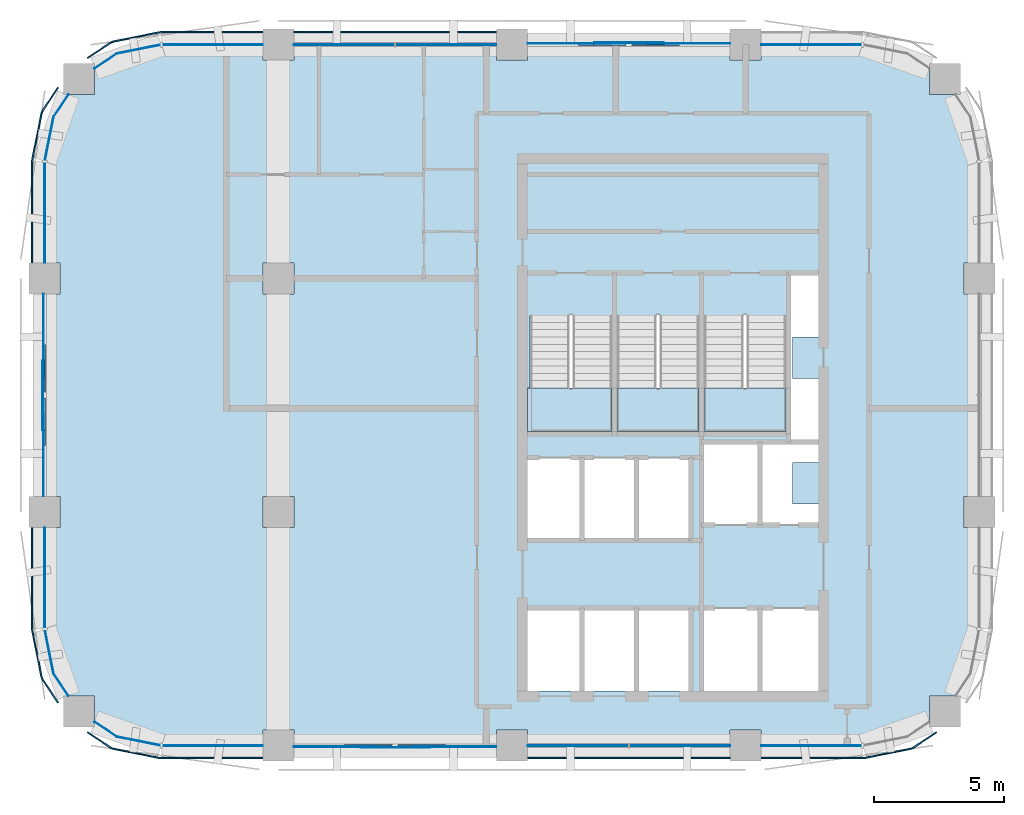
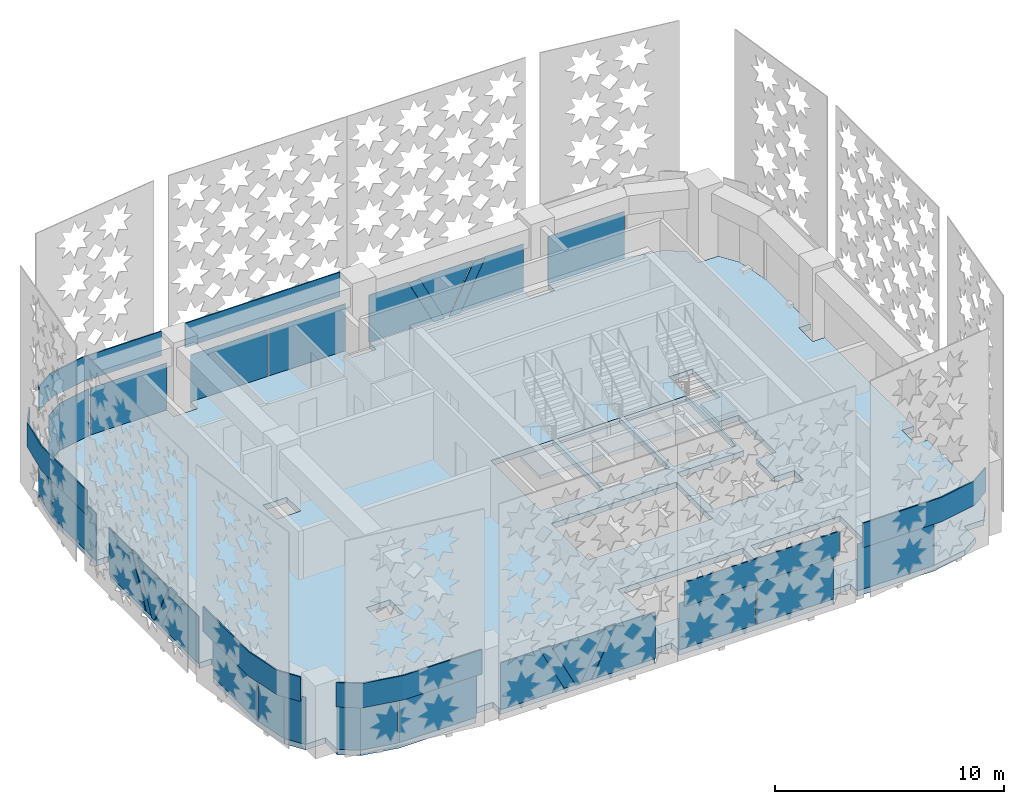
# One storey, part 6 of 15: 36 plates, 4 slabs, 14 elements without a shape of their own.
"""IFC4 building model written with IfcOpenShell, lengths in metres."""

from ifc_helpers import new_model, si_unit, direction, frame, origin, origin_2d, place, context, subcontext, project, spatial, polyline, rectangle, outline, extrude, material, layer, layer_set, type_object, element, aggregate, save


model = new_model("IFC4")

# Units and contexts
model_context = context("Model", 3, precision=1e-05, world=origin(), true_north=direction((0.0, 1.0)))
body_context = subcontext(model_context, "Body", "Model", "MODEL_VIEW")
ifc_project = project(units=[si_unit("LENGTHUNIT", "METRE"), si_unit("AREAUNIT", "SQUARE_METRE"), si_unit("VOLUMEUNIT", "CUBIC_METRE"), si_unit("PLANEANGLEUNIT", "RADIAN"), si_unit("MASSUNIT", "GRAM", prefix="KILO")], contexts=[model_context])

# Site, building, storey
site_placement = place(None, origin())
site = spatial("IfcSite", under=ifc_project, at=site_placement, CompositionType="ELEMENT")
building_placement = place(site_placement, origin())
building = spatial("IfcBuilding", under=site, at=building_placement, Name="Tessera Arch", CompositionType="ELEMENT")
storey_placement = place(building_placement, frame((0.0, 0.0, 257.89990234375)))
storey = spatial("IfcBuildingStorey", under=building, at=storey_placement, Name="L62", CompositionType="ELEMENT", Elevation=257.89990234375)

# Curtain wall, plates
ifc_material_1 = material(Name="CW1 curtain wall")
curtain_wall_type_1 = type_object("IfcCurtainWallType", Name="CW1 curtain wall", PredefinedType="NOTDEFINED", material=ifc_material_1)
curtain_wall_1_placement = place(storey_placement, origin())
curtain_wall_1 = element("IfcCurtainWall", 1, at=curtain_wall_1_placement, inside=storey, type_object=curtain_wall_type_1, Name="CW1 curtain wall N54.18/2 L62", PredefinedType="NOTDEFINED")
ifc_material_2 = material(Name="Clear low-e glass", Category="glass")
ifc_material_3 = material(Name="Clear low-e glass", Category="glass")
ifc_layer_1 = layer(ifc_material_3, 0.028076171875)
ifc_layer_set_1 = layer_set([ifc_layer_1], Name="CW1 glass panel")
plate_type_1 = type_object("IfcPlateType", Name="CW1 glass panel", PredefinedType="CURTAIN_PANEL", material=ifc_layer_set_1)
plate_1_placement = place(storey_placement, frame((33.465087890625, 54.0, 0.0), z_axis=(0.0, 0.0, 1.0), x_axis=(-1.0, 0.0, 0.0)))
plate_1 = element("IfcPlate", 2, at=plate_1_placement, type_object=plate_type_1, material=ifc_material_2, Name="CW1 glass panel N54.18/2 1.1.1", PredefinedType="CURTAIN_PANEL", context=body_context, shape_type="SweptSolid", body=[
    extrude(rectangle(XDim=3.8701171875, YDim=0.028076171875, at=origin_2d()), origin(), (0.0, 0.0, 1.0), 2.5),
])
plate_2_placement = place(storey_placement, frame((29.534912109375, 54.0, 0.0), z_axis=(0.0, 0.0, 1.0), x_axis=(-1.0, 0.0, 0.0)))
plate_2 = element("IfcPlate", 3, at=plate_2_placement, type_object=plate_type_1, material=ifc_material_2, Name="CW1 glass panel N54.18/2 1.2.1", PredefinedType="CURTAIN_PANEL", context=body_context, shape_type="SweptSolid", body=[
    extrude(rectangle(XDim=3.8701171875, YDim=0.028076171875, at=origin_2d()), origin(), (0.0, 0.0, 1.0), 2.5),
])

curtain_wall_2_placement = place(storey_placement, origin())
curtain_wall_2 = element("IfcCurtainWall", 4, at=curtain_wall_2_placement, inside=storey, type_object=curtain_wall_type_1, Name="CW1 curtain wall S27.18/2 L62", PredefinedType="NOTDEFINED")
plate_3_placement = place(storey_placement, frame((38.534912109375, 27.0, 0.0), z_axis=(0.0, 0.0, 1.0), x_axis=(1.0, 0.0, 0.0)))
plate_3 = element("IfcPlate", 5, at=plate_3_placement, type_object=plate_type_1, material=ifc_material_2, Name="CW1 glass panel S27.18/2 1.1.1", PredefinedType="CURTAIN_PANEL", context=body_context, shape_type="SweptSolid", body=[
    extrude(rectangle(XDim=3.8701171875, YDim=0.028076171875, at=origin_2d()), origin(), (0.0, 0.0, 1.0), 2.5),
])
plate_4_placement = place(storey_placement, frame((42.465087890625, 27.0, 0.0), z_axis=(0.0, 0.0, 1.0), x_axis=(1.0, 0.0, 0.0)))
plate_4 = element("IfcPlate", 6, at=plate_4_placement, type_object=plate_type_1, material=ifc_material_2, Name="CW1 glass panel S27.18/2 1.2.1", PredefinedType="CURTAIN_PANEL", context=body_context, shape_type="SweptSolid", body=[
    extrude(rectangle(XDim=3.8701171875, YDim=0.028076171875, at=origin_2d()), origin(), (0.0, 0.0, 1.0), 2.5),
])

# Plate
ifc_material_4 = material(Name="Pale anodised aluminium panel", Category="aluminium")
ifc_layer_2 = layer(ifc_material_4, 0.06005859375)
ifc_layer_set_2 = layer_set([ifc_layer_2], Name="CW1 spandrel panel")
plate_type_2 = type_object("IfcPlateType", Name="CW1 spandrel panel", PredefinedType="CURTAIN_PANEL", material=ifc_layer_set_2)
plate_5_placement = place(storey_placement, frame((31.5, 54.47998046875, 2.60009765625), z_axis=(0.0, 0.0, 1.0), x_axis=(-1.0, 0.0, 0.0)))
plate_5 = element("IfcPlate", 7, at=plate_5_placement, type_object=plate_type_2, Name="CW1 spandrel panel N54.18/2", PredefinedType="CURTAIN_PANEL", context=body_context, shape_type="SweptSolid", body=[
    extrude(rectangle(XDim=7.800048828125, YDim=0.06005859375, at=origin_2d()), origin(), (0.0, 0.0, 1.0), 1.300048828125),
])

aggregate(curtain_wall_1, [plate_1, plate_2, plate_5])

plate_6_placement = place(storey_placement, frame((40.5, 26.52001953125, 2.60009765625), z_axis=(0.0, 0.0, 1.0), x_axis=(1.0, 0.0, 0.0)))
plate_6 = element("IfcPlate", 8, at=plate_6_placement, type_object=plate_type_2, Name="CW1 spandrel panel S27.18/2", PredefinedType="CURTAIN_PANEL", context=body_context, shape_type="SweptSolid", body=[
    extrude(rectangle(XDim=7.800048828125, YDim=0.06005859375, at=origin_2d()), origin(), (0.0, 0.0, 1.0), 1.300048828125),
])

aggregate(curtain_wall_2, [plate_3, plate_4, plate_6])

# Curtain wall, plate
ifc_material_5 = material(Name="CW2 curtain wall")
curtain_wall_type_2 = type_object("IfcCurtainWallType", Name="CW2 curtain wall", PredefinedType="NOTDEFINED", material=ifc_material_5)
curtain_wall_3_placement = place(storey_placement, origin())
curtain_wall_3 = element("IfcCurtainWall", 9, at=curtain_wall_3_placement, inside=storey, type_object=curtain_wall_type_2, Name="CW2 curtain wall N54.18/0 L62", PredefinedType="NOTDEFINED")
ifc_material_6 = material(Name="Clear low-e glass", Category="glass")
ifc_layer_3 = layer(ifc_material_6, 0.028076171875)
ifc_layer_set_3 = layer_set([ifc_layer_3], Name="CW2 glass panel")
plate_type_3 = type_object("IfcPlateType", Name="CW2 glass panel", PredefinedType="CURTAIN_PANEL", material=ifc_layer_set_3)
plate_7_placement = place(storey_placement, frame((47.530029296875, 54.0, 0.0), z_axis=(0.0, 0.0, 1.0), x_axis=(-1.0, 0.0, 0.0)))
plate_7 = element("IfcPlate", 10, at=plate_7_placement, type_object=plate_type_3, material=ifc_material_2, Name="CW2 glass panel N54.18/0 1.1", PredefinedType="CURTAIN_PANEL", context=body_context, shape_type="SweptSolid", body=[
    extrude(rectangle(XDim=3.860107421875, YDim=0.028076171875, at=origin_2d()), origin(), (0.0, 0.0, 1.0), 2.5),
])
aggregate(curtain_wall_3, [plate_7])

# Curtain wall, plates
curtain_wall_4_placement = place(storey_placement, origin())
curtain_wall_4 = element("IfcCurtainWall", 11, at=curtain_wall_4_placement, inside=storey, type_object=curtain_wall_type_2, Name="CW2 curtain wall N54.18/3 L62", PredefinedType="NOTDEFINED")
plate_8_placement = place(storey_placement, frame((24.469970703125, 54.0, 0.0), z_axis=(0.0, 0.0, 1.0), x_axis=(-1.0, 0.0, 0.0)))
plate_8 = element("IfcPlate", 12, at=plate_8_placement, type_object=plate_type_3, material=ifc_material_2, Name="CW2 glass panel N54.18/3 1.1", PredefinedType="CURTAIN_PANEL", context=body_context, shape_type="SweptSolid", body=[
    extrude(rectangle(XDim=3.860107421875, YDim=0.028076171875, at=origin_2d()), origin(), (0.0, 0.0, 1.0), 2.5),
])
plate_9_placement = place(storey_placement, origin())
plate_9 = element("IfcPlate", 13, at=plate_9_placement, type_object=plate_type_3, material=ifc_material_2, Name="CW2 curved glass panel N54.18/3 2.1", PredefinedType="CURTAIN_PANEL", context=body_context, shape_type="SweptSolid", body=[
    extrude(outline(polyline([(20.783447265625, 53.644287109375), (22.46337890625, 53.978515625), (22.4580078125, 54.005859375), (20.7724609375, 53.670654296875), (19.91015625, 53.094482421875), (19.92578125, 53.0712890625), (20.783447265625, 53.644287109375)])), origin(), (0.0, 0.0, 1.0), 2.5),
])

curtain_wall_5_placement = place(storey_placement, origin())
curtain_wall_5 = element("IfcCurtainWall", 14, at=curtain_wall_5_placement, inside=storey, type_object=curtain_wall_type_2, Name="CW2 curtain wall W18.27/0 L62", PredefinedType="NOTDEFINED")
plate_10_placement = place(storey_placement, frame((18.0, 47.530029296875, 0.0), z_axis=(0.0, 0.0, 1.0), x_axis=(0.0, -1.0, 0.0)))
plate_10 = element("IfcPlate", 15, at=plate_10_placement, type_object=plate_type_3, material=ifc_material_2, Name="CW2 glass panel W18.27/0 1.1", PredefinedType="CURTAIN_PANEL", context=body_context, shape_type="SweptSolid", body=[
    extrude(rectangle(XDim=3.860107421875, YDim=0.028076171875, at=origin_2d()), origin(), (0.0, 0.0, 1.0), 2.5),
])
plate_11_placement = place(storey_placement, origin())
plate_11 = element("IfcPlate", 16, at=plate_11_placement, type_object=plate_type_3, material=ifc_material_2, Name="CW2 curved glass panel W18.27/0 2.1", PredefinedType="CURTAIN_PANEL", context=body_context, shape_type="SweptSolid", body=[
    extrude(outline(polyline([(18.355712890625, 51.216552734375), (18.9287109375, 52.07421875), (18.905517578125, 52.08984375), (18.329345703125, 51.2275390625), (17.994140625, 49.5419921875), (18.021484375, 49.53662109375), (18.355712890625, 51.216552734375)])), origin(), (0.0, 0.0, 1.0), 2.5),
])

curtain_wall_6_placement = place(storey_placement, origin())
curtain_wall_6 = element("IfcCurtainWall", 17, at=curtain_wall_6_placement, inside=storey, type_object=curtain_wall_type_2, Name="CW2 curtain wall W18.27/2 L62", PredefinedType="NOTDEFINED")
plate_12_placement = place(storey_placement, frame((18.0, 33.469970703125, 0.0), z_axis=(0.0, 0.0, 1.0), x_axis=(0.0, -1.0, 0.0)))
plate_12 = element("IfcPlate", 18, at=plate_12_placement, type_object=plate_type_3, material=ifc_material_2, Name="CW2 glass panel W18.27/2 1.1", PredefinedType="CURTAIN_PANEL", context=body_context, shape_type="SweptSolid", body=[
    extrude(rectangle(XDim=3.860107421875, YDim=0.028076171875, at=origin_2d()), origin(), (0.0, 0.0, 1.0), 2.5),
])
plate_13_placement = place(storey_placement, origin())
plate_13 = element("IfcPlate", 19, at=plate_13_placement, type_object=plate_type_3, material=ifc_material_2, Name="CW2 curved glass panel W18.27/2 2.1", PredefinedType="CURTAIN_PANEL", context=body_context, shape_type="SweptSolid", body=[
    extrude(outline(polyline([(18.355712890625, 29.783447265625), (18.021484375, 31.46337890625), (17.994140625, 31.4580078125), (18.329345703125, 29.7724609375), (18.905517578125, 28.91015625), (18.9287109375, 28.92578125), (18.355712890625, 29.783447265625)])), origin(), (0.0, 0.0, 1.0), 2.5),
])

curtain_wall_7_placement = place(storey_placement, origin())
curtain_wall_7 = element("IfcCurtainWall", 20, at=curtain_wall_7_placement, inside=storey, type_object=curtain_wall_type_2, Name="CW2 curtain wall S27.18/0 L62", PredefinedType="NOTDEFINED")
plate_14_placement = place(storey_placement, frame((24.469970703125, 27.0, 0.0), z_axis=(0.0, 0.0, 1.0), x_axis=(1.0, 0.0, 0.0)))
plate_14 = element("IfcPlate", 21, at=plate_14_placement, type_object=plate_type_3, material=ifc_material_2, Name="CW2 glass panel S27.18/0 1.1", PredefinedType="CURTAIN_PANEL", context=body_context, shape_type="SweptSolid", body=[
    extrude(rectangle(XDim=3.860107421875, YDim=0.028076171875, at=origin_2d()), origin(), (0.0, 0.0, 1.0), 2.5),
])
plate_15_placement = place(storey_placement, origin())
plate_15 = element("IfcPlate", 22, at=plate_15_placement, type_object=plate_type_3, material=ifc_material_2, Name="CW2 curved glass panel S27.18/0 2.1", PredefinedType="CURTAIN_PANEL", context=body_context, shape_type="SweptSolid", body=[
    extrude(outline(polyline([(20.783447265625, 27.355712890625), (19.92578125, 27.9287109375), (19.91015625, 27.905517578125), (20.7724609375, 27.329345703125), (22.4580078125, 26.994140625), (22.46337890625, 27.021484375), (20.783447265625, 27.355712890625)])), origin(), (0.0, 0.0, 1.0), 2.5),
])

# Curtain wall, plate
curtain_wall_8_placement = place(storey_placement, origin())
curtain_wall_8 = element("IfcCurtainWall", 23, at=curtain_wall_8_placement, inside=storey, type_object=curtain_wall_type_2, Name="CW2 curtain wall S27.18/3 L62", PredefinedType="NOTDEFINED")
plate_16_placement = place(storey_placement, frame((47.530029296875, 27.0, 0.0), z_axis=(0.0, 0.0, 1.0), x_axis=(1.0, 0.0, 0.0)))
plate_16 = element("IfcPlate", 24, at=plate_16_placement, type_object=plate_type_3, material=ifc_material_2, Name="CW2 glass panel S27.18/3 1.1", PredefinedType="CURTAIN_PANEL", context=body_context, shape_type="SweptSolid", body=[
    extrude(rectangle(XDim=3.860107421875, YDim=0.028076171875, at=origin_2d()), origin(), (0.0, 0.0, 1.0), 2.5),
])

# Plate
ifc_material_7 = material(Name="Pale anodised aluminium panel", Category="aluminium")
ifc_layer_4 = layer(ifc_material_7, 0.06005859375)
ifc_layer_set_4 = layer_set([ifc_layer_4], Name="CW2 spandrel panel")
plate_type_4 = type_object("IfcPlateType", Name="CW2 spandrel panel", PredefinedType="CURTAIN_PANEL", material=ifc_layer_set_4)
plate_17_placement = place(storey_placement, frame((0.0, 0.0, 2.60009765625)))
plate_17 = element("IfcPlate", 25, at=plate_17_placement, type_object=plate_type_4, Name="CW2 spandrel panel N54.18/3", PredefinedType="CURTAIN_PANEL", context=body_context, shape_type="SweptSolid", body=[
    extrude(outline(polyline([(22.500732421875, 54.449951171875), (26.39990234375, 54.449951171875), (26.39990234375, 54.510009765625), (22.499267578125, 54.510009765625), (22.449951171875, 54.507568359375), (22.401123046875, 54.500244140625), (20.677734375, 54.157470703125), (20.6298828125, 54.1455078125), (20.582763671875, 54.128662109375), (20.537353515625, 54.107421875), (20.4951171875, 54.08203125), (19.634765625, 53.5068359375), (19.66796875, 53.45703125), (20.52734375, 54.03125), (20.565673828125, 54.054443359375), (20.605712890625, 54.0732421875), (20.647216796875, 54.088134765625), (20.69091796875, 54.09912109375), (22.411376953125, 54.441162109375), (22.455810546875, 54.44775390625), (22.500732421875, 54.449951171875)])), origin(), (0.0, 0.0, 1.0), 1.300048828125),
])

aggregate(curtain_wall_4, [plate_8, plate_9, plate_17])

plate_18_placement = place(storey_placement, frame((0.0, 0.0, 2.60009765625)))
plate_18 = element("IfcPlate", 26, at=plate_18_placement, type_object=plate_type_4, Name="CW2 spandrel panel W18.27/0", PredefinedType="CURTAIN_PANEL", context=body_context, shape_type="SweptSolid", body=[
    extrude(outline(polyline([(17.96875, 51.47265625), (18.54296875, 52.33203125), (18.4931640625, 52.365234375), (17.91796875, 51.5048828125), (17.892578125, 51.462646484375), (17.871337890625, 51.417236328125), (17.8544921875, 51.3701171875), (17.842529296875, 51.322265625), (17.499755859375, 49.598876953125), (17.492431640625, 49.550048828125), (17.489990234375, 49.500732421875), (17.489990234375, 45.60009765625), (17.550048828125, 45.60009765625), (17.550048828125, 49.499267578125), (17.55224609375, 49.544189453125), (17.558837890625, 49.588623046875), (17.90087890625, 51.30908203125), (17.911865234375, 51.352783203125), (17.9267578125, 51.394287109375), (17.945556640625, 51.434326171875), (17.96875, 51.47265625)])), origin(), (0.0, 0.0, 1.0), 1.300048828125),
])

aggregate(curtain_wall_5, [plate_10, plate_11, plate_18])

plate_19_placement = place(storey_placement, frame((0.0, 0.0, 2.60009765625)))
plate_19 = element("IfcPlate", 27, at=plate_19_placement, type_object=plate_type_4, Name="CW2 spandrel panel W18.27/2", PredefinedType="CURTAIN_PANEL", context=body_context, shape_type="SweptSolid", body=[
    extrude(outline(polyline([(17.550048828125, 31.500732421875), (17.550048828125, 35.39990234375), (17.489990234375, 35.39990234375), (17.489990234375, 31.499267578125), (17.492431640625, 31.449951171875), (17.499755859375, 31.401123046875), (17.842529296875, 29.677734375), (17.8544921875, 29.6298828125), (17.871337890625, 29.582763671875), (17.892578125, 29.537353515625), (17.91796875, 29.4951171875), (18.4931640625, 28.634765625), (18.54296875, 28.66796875), (17.96875, 29.52734375), (17.945556640625, 29.565673828125), (17.9267578125, 29.605712890625), (17.911865234375, 29.647216796875), (17.90087890625, 29.69091796875), (17.558837890625, 31.411376953125), (17.55224609375, 31.455810546875), (17.550048828125, 31.500732421875)])), origin(), (0.0, 0.0, 1.0), 1.300048828125),
])

aggregate(curtain_wall_6, [plate_12, plate_13, plate_19])

plate_20_placement = place(storey_placement, frame((0.0, 0.0, 2.60009765625)))
plate_20 = element("IfcPlate", 28, at=plate_20_placement, type_object=plate_type_4, Name="CW2 spandrel panel S27.18/0", PredefinedType="CURTAIN_PANEL", context=body_context, shape_type="SweptSolid", body=[
    extrude(outline(polyline([(20.52734375, 26.96875), (19.66796875, 27.54296875), (19.634765625, 27.4931640625), (20.4951171875, 26.91796875), (20.537353515625, 26.892578125), (20.582763671875, 26.871337890625), (20.6298828125, 26.8544921875), (20.677734375, 26.842529296875), (22.401123046875, 26.499755859375), (22.449951171875, 26.492431640625), (22.499267578125, 26.489990234375), (26.39990234375, 26.489990234375), (26.39990234375, 26.550048828125), (22.500732421875, 26.550048828125), (22.455810546875, 26.55224609375), (22.411376953125, 26.558837890625), (20.69091796875, 26.90087890625), (20.647216796875, 26.911865234375), (20.605712890625, 26.9267578125), (20.565673828125, 26.945556640625), (20.52734375, 26.96875)])), origin(), (0.0, 0.0, 1.0), 1.300048828125),
])

aggregate(curtain_wall_7, [plate_14, plate_15, plate_20])

plate_21_placement = place(storey_placement, frame((0.0, 0.0, 2.60009765625)))
plate_21 = element("IfcPlate", 29, at=plate_21_placement, type_object=plate_type_4, Name="CW2 spandrel panel S27.18/3", PredefinedType="CURTAIN_PANEL", context=body_context, shape_type="SweptSolid", body=[
    extrude(outline(polyline([(49.499267578125, 26.550048828125), (45.60009765625, 26.550048828125), (45.60009765625, 26.489990234375), (49.500732421875, 26.489990234375), (49.550048828125, 26.492431640625), (49.598876953125, 26.499755859375), (51.322265625, 26.842529296875), (51.3701171875, 26.8544921875), (51.417236328125, 26.871337890625), (51.462646484375, 26.892578125), (51.5048828125, 26.91796875), (52.365234375, 27.4931640625), (52.33203125, 27.54296875), (51.47265625, 26.96875), (51.434326171875, 26.945556640625), (51.394287109375, 26.9267578125), (51.352783203125, 26.911865234375), (51.30908203125, 26.90087890625), (49.588623046875, 26.558837890625), (49.544189453125, 26.55224609375), (49.499267578125, 26.550048828125)])), origin(), (0.0, 0.0, 1.0), 1.300048828125),
])

aggregate(curtain_wall_8, [plate_16, plate_21])

# Curtain wall, plates
ifc_material_8 = material(Name="CW3 curtain wall")
curtain_wall_type_3 = type_object("IfcCurtainWallType", Name="CW3 curtain wall", PredefinedType="NOTDEFINED", material=ifc_material_8)
curtain_wall_9_placement = place(storey_placement, origin())
curtain_wall_9 = element("IfcCurtainWall", 30, at=curtain_wall_9_placement, inside=storey, type_object=curtain_wall_type_3, Name="CW3 curtain wall N54.18/1 L62", PredefinedType="NOTDEFINED")
ifc_material_9 = material(Name="Pale anodised aluminium panel", Category="aluminium")
ifc_layer_5 = layer(ifc_material_9, 0.06005859375)
ifc_layer_set_5 = layer_set([ifc_layer_5], Name="CW3 diagonal panel")
plate_type_5 = type_object("IfcPlateType", Name="CW3 diagonal panel", PredefinedType="CURTAIN_PANEL", material=ifc_layer_set_5)
plate_22_placement = place(storey_placement, frame((38.567626953125, 54.030029296875, 2.5), z_axis=(0.0, 1.0, 0.0), x_axis=(1.0, 0.0, 0.0)))
plate_22 = element("IfcPlate", 31, at=plate_22_placement, type_object=plate_type_5, Name="CW3 diagonal panel N54.18/1 1", PredefinedType="CURTAIN_PANEL", context=body_context, shape_type="SweptSolid", body=[
    extrude(outline(polyline([(0.0, 0.0), (0.564697265625, 0.0), (1.814697265625, 2.5), (1.25, 2.5), (0.0, 0.0)])), origin(), (0.0, 0.0, -1.0), 0.06005859375),
])
plate_23_placement = place(storey_placement, frame((41.86767578125, 54.030029296875, 2.5), z_axis=(0.0, 1.0, 0.0), x_axis=(1.0, 0.0, 0.0)))
plate_23 = element("IfcPlate", 32, at=plate_23_placement, type_object=plate_type_5, Name="CW3 diagonal panel N54.18/1 2", PredefinedType="CURTAIN_PANEL", context=body_context, shape_type="SweptSolid", body=[
    extrude(outline(polyline([(0.0, 0.0), (0.564697265625, 0.0), (-0.685302734375, 2.5), (-1.25, 2.5), (0.0, 0.0)])), origin(), (0.0, 0.0, -1.0), 0.06005859375),
])

curtain_wall_10_placement = place(storey_placement, origin())
curtain_wall_10 = element("IfcCurtainWall", 33, at=curtain_wall_10_placement, inside=storey, type_object=curtain_wall_type_3, Name="CW3 curtain wall W18.27/1 L62", PredefinedType="NOTDEFINED")
plate_24_placement = place(storey_placement, frame((17.969970703125, 38.567626953125, 2.5), z_axis=(-1.0, 0.0, 0.0), x_axis=(0.0, 1.0, 0.0)))
plate_24 = element("IfcPlate", 34, at=plate_24_placement, type_object=plate_type_5, Name="CW3 diagonal panel W18.27/1 1", PredefinedType="CURTAIN_PANEL", context=body_context, shape_type="SweptSolid", body=[
    extrude(outline(polyline([(0.0, 0.0), (0.564697265625, 0.0), (1.814697265625, 2.5), (1.25, 2.5), (0.0, 0.0)])), origin(), (0.0, 0.0, -1.0), 0.06005859375),
])
plate_25_placement = place(storey_placement, frame((17.969970703125, 41.86767578125, 2.5), z_axis=(-1.0, 0.0, 0.0), x_axis=(0.0, 1.0, 0.0)))
plate_25 = element("IfcPlate", 35, at=plate_25_placement, type_object=plate_type_5, Name="CW3 diagonal panel W18.27/1 2", PredefinedType="CURTAIN_PANEL", context=body_context, shape_type="SweptSolid", body=[
    extrude(outline(polyline([(0.0, 0.0), (0.564697265625, 0.0), (-0.685302734375, 2.5), (-1.25, 2.5), (0.0, 0.0)])), origin(), (0.0, 0.0, -1.0), 0.06005859375),
])

curtain_wall_11_placement = place(storey_placement, origin())
curtain_wall_11 = element("IfcCurtainWall", 36, at=curtain_wall_11_placement, inside=storey, type_object=curtain_wall_type_3, Name="CW3 curtain wall S27.18/1 L62", PredefinedType="NOTDEFINED")
plate_26_placement = place(storey_placement, frame((33.432373046875, 26.969970703125, 2.5), z_axis=(0.0, -1.0, 0.0), x_axis=(-1.0, 0.0, 0.0)))
plate_26 = element("IfcPlate", 37, at=plate_26_placement, type_object=plate_type_5, Name="CW3 diagonal panel S27.18/1 1", PredefinedType="CURTAIN_PANEL", context=body_context, shape_type="SweptSolid", body=[
    extrude(outline(polyline([(0.0, 0.0), (0.564697265625, 0.0), (1.814697265625, 2.5), (1.25, 2.5), (0.0, 0.0)])), origin(), (0.0, 0.0, -1.0), 0.06005859375),
])
plate_27_placement = place(storey_placement, frame((30.13232421875, 26.969970703125, 2.5), z_axis=(0.0, -1.0, 0.0), x_axis=(-1.0, 0.0, 0.0)))
plate_27 = element("IfcPlate", 38, at=plate_27_placement, type_object=plate_type_5, Name="CW3 diagonal panel S27.18/1 2", PredefinedType="CURTAIN_PANEL", context=body_context, shape_type="SweptSolid", body=[
    extrude(outline(polyline([(0.0, 0.0), (0.564697265625, 0.0), (-0.685302734375, 2.5), (-1.25, 2.5), (0.0, 0.0)])), origin(), (0.0, 0.0, -1.0), 0.06005859375),
])

# Plate
ifc_material_10 = material(Name="Clear low-e glass", Category="glass")
ifc_layer_6 = layer(ifc_material_10, 0.028076171875)
ifc_layer_set_6 = layer_set([ifc_layer_6], Name="CW3 glass panel")
plate_type_6 = type_object("IfcPlateType", Name="CW3 glass panel", PredefinedType="CURTAIN_PANEL", material=ifc_layer_set_6)
plate_28_placement = place(storey_placement, frame((44.39990234375, 54.05810546875, 0.0), z_axis=(0.0, 1.0, 0.0), x_axis=(-1.0, 0.0, 0.0)))
plate_28 = element("IfcPlate", 39, at=plate_28_placement, type_object=plate_type_6, material=ifc_material_2, Name="CW3 triangulated glass panel N54.18/1 1", PredefinedType="CURTAIN_PANEL", context=body_context, shape_type="SweptSolid", body=[
    extrude(outline(polyline([(0.0, 0.0), (3.217529296875, 0.0), (1.967529296875, 2.5), (0.0, 2.5), (0.0, 0.0)])), origin(), (0.0, 0.0, -1.0), 0.028076171875),
])

plate_29_placement = place(storey_placement, frame((39.13232421875, 54.0859375, 2.5), z_axis=(0.0, 1.0, 0.0), x_axis=(1.0, 0.0, 0.0)))
plate_29 = element("IfcPlate", 40, at=plate_29_placement, type_object=plate_type_6, material=ifc_material_2, Name="CW3 triangulated glass panel N54.18/1 2", PredefinedType="CURTAIN_PANEL", context=body_context, shape_type="SweptSolid", body=[
    extrude(outline(polyline([(0.0, 0.0), (2.7353515625, 0.0), (1.4853515625, 2.5), (1.25, 2.5), (0.0, 0.0)])), origin(), (0.0, 0.0, -1.0), 0.028076171875),
])

plate_30_placement = place(storey_placement, frame((36.60009765625, 54.05810546875, 2.5), z_axis=(0.0, 1.0, 0.0), x_axis=(1.0, 0.0, 0.0)))
plate_30 = element("IfcPlate", 41, at=plate_30_placement, type_object=plate_type_6, material=ifc_material_2, Name="CW3 triangulated glass panel N54.18/1 3", PredefinedType="CURTAIN_PANEL", context=body_context, shape_type="SweptSolid", body=[
    extrude(outline(polyline([(0.0, 0.0), (1.967529296875, 0.0), (3.217529296875, 2.5), (0.0, 2.5), (0.0, 0.0)])), origin(), (0.0, 0.0, -1.0), 0.028076171875),
])

aggregate(curtain_wall_9, [plate_28, plate_29, plate_30, plate_22, plate_23])

plate_31_placement = place(storey_placement, frame((17.94189453125, 44.39990234375, 0.0), z_axis=(-1.0, 0.0, 0.0), x_axis=(0.0, -1.0, 0.0)))
plate_31 = element("IfcPlate", 42, at=plate_31_placement, type_object=plate_type_6, material=ifc_material_2, Name="CW3 triangulated glass panel W18.27/1 1", PredefinedType="CURTAIN_PANEL", context=body_context, shape_type="SweptSolid", body=[
    extrude(outline(polyline([(0.0, 0.0), (3.217529296875, 0.0), (1.967529296875, 2.5), (0.0, 2.5), (0.0, 0.0)])), origin(), (0.0, 0.0, -1.0), 0.028076171875),
])

plate_32_placement = place(storey_placement, frame((17.9140625, 39.13232421875, 2.5), z_axis=(-1.0, 0.0, 0.0), x_axis=(0.0, 1.0, 0.0)))
plate_32 = element("IfcPlate", 43, at=plate_32_placement, type_object=plate_type_6, material=ifc_material_2, Name="CW3 triangulated glass panel W18.27/1 2", PredefinedType="CURTAIN_PANEL", context=body_context, shape_type="SweptSolid", body=[
    extrude(outline(polyline([(0.0, 0.0), (2.7353515625, 0.0), (1.4853515625, 2.5), (1.25, 2.5), (0.0, 0.0)])), origin(), (0.0, 0.0, -1.0), 0.028076171875),
])

plate_33_placement = place(storey_placement, frame((17.94189453125, 36.60009765625, 2.5), z_axis=(-1.0, 0.0, 0.0), x_axis=(0.0, 1.0, 0.0)))
plate_33 = element("IfcPlate", 44, at=plate_33_placement, type_object=plate_type_6, material=ifc_material_2, Name="CW3 triangulated glass panel W18.27/1 3", PredefinedType="CURTAIN_PANEL", context=body_context, shape_type="SweptSolid", body=[
    extrude(outline(polyline([(0.0, 0.0), (1.967529296875, 0.0), (3.217529296875, 2.5), (0.0, 2.5), (0.0, 0.0)])), origin(), (0.0, 0.0, -1.0), 0.028076171875),
])

aggregate(curtain_wall_10, [plate_31, plate_32, plate_33, plate_24, plate_25])

plate_34_placement = place(storey_placement, frame((27.60009765625, 26.94189453125, 0.0), z_axis=(0.0, -1.0, 0.0), x_axis=(1.0, 0.0, 0.0)))
plate_34 = element("IfcPlate", 45, at=plate_34_placement, type_object=plate_type_6, material=ifc_material_2, Name="CW3 triangulated glass panel S27.18/1 1", PredefinedType="CURTAIN_PANEL", context=body_context, shape_type="SweptSolid", body=[
    extrude(outline(polyline([(0.0, 0.0), (3.217529296875, 0.0), (1.967529296875, 2.5), (0.0, 2.5), (0.0, 0.0)])), origin(), (0.0, 0.0, -1.0), 0.028076171875),
])

plate_35_placement = place(storey_placement, frame((32.86767578125, 26.9140625, 2.5), z_axis=(0.0, -1.0, 0.0), x_axis=(-1.0, 0.0, 0.0)))
plate_35 = element("IfcPlate", 46, at=plate_35_placement, type_object=plate_type_6, material=ifc_material_2, Name="CW3 triangulated glass panel S27.18/1 2", PredefinedType="CURTAIN_PANEL", context=body_context, shape_type="SweptSolid", body=[
    extrude(outline(polyline([(0.0, 0.0), (2.7353515625, 0.0), (1.4853515625, 2.5), (1.25, 2.5), (0.0, 0.0)])), origin(), (0.0, 0.0, -1.0), 0.028076171875),
])

plate_36_placement = place(storey_placement, frame((35.39990234375, 26.94189453125, 2.5), z_axis=(0.0, -1.0, 0.0), x_axis=(-1.0, 0.0, 0.0)))
plate_36 = element("IfcPlate", 47, at=plate_36_placement, type_object=plate_type_6, material=ifc_material_2, Name="CW3 triangulated glass panel S27.18/1 3", PredefinedType="CURTAIN_PANEL", context=body_context, shape_type="SweptSolid", body=[
    extrude(outline(polyline([(0.0, 0.0), (1.967529296875, 0.0), (3.217529296875, 2.5), (0.0, 2.5), (0.0, 0.0)])), origin(), (0.0, 0.0, -1.0), 0.028076171875),
])

aggregate(curtain_wall_11, [plate_34, plate_35, plate_36, plate_26, plate_27])

# Slab
ifc_material_11 = material(Name="Concrete C40/50", Category="concrete")
ifc_layer_7 = layer(ifc_material_11, 0.300048828125)
ifc_layer_set_7 = layer_set([ifc_layer_7], Name="Floor slab 300 Concrete C40/50")
slab_type_1 = type_object("IfcSlabType", Name="Floor slab 300 Concrete C40/50", PredefinedType="FLOOR", material=ifc_layer_set_7)
slab_1_placement = place(storey_placement, frame((0.0, 0.0, -0.2998046875)))
element("IfcSlab", 48, at=slab_1_placement, inside=storey, type_object=slab_type_1, Name="Floor slab L62 1", PredefinedType="FLOOR", context=body_context, shape_type="SweptSolid", body=[
    extrude(outline(polyline([(54.0, 31.5), (53.657470703125, 29.77783203125), (53.0830078125, 28.91796875), (52.08203125, 28.91796875), (52.08203125, 27.9169921875), (51.22216796875, 27.342529296875), (49.5, 27.0), (45.60009765625, 27.0), (45.60009765625, 27.60009765625), (44.39990234375, 27.60009765625), (44.39990234375, 27.0), (36.60009765625, 27.0), (36.60009765625, 27.60009765625), (35.39990234375, 27.60009765625), (35.39990234375, 27.0), (27.60009765625, 27.0), (27.60009765625, 27.60009765625), (26.39990234375, 27.60009765625), (26.39990234375, 27.0), (22.5, 27.0), (20.77783203125, 27.342529296875), (19.91796875, 27.9169921875), (19.91796875, 28.91796875), (18.9169921875, 28.91796875), (18.342529296875, 29.77783203125), (18.0, 31.5), (18.0, 35.39990234375), (18.60009765625, 35.39990234375), (18.60009765625, 36.60009765625), (18.0, 36.60009765625), (18.0, 44.39990234375), (18.60009765625, 44.39990234375), (18.60009765625, 45.60009765625), (18.0, 45.60009765625), (18.0, 49.5), (18.342529296875, 51.22216796875), (18.9169921875, 52.08203125), (19.91796875, 52.08203125), (19.91796875, 53.0830078125), (20.77783203125, 53.657470703125), (22.5, 54.0), (26.39990234375, 54.0), (26.39990234375, 53.39990234375), (27.60009765625, 53.39990234375), (27.60009765625, 54.0), (35.39990234375, 54.0), (35.39990234375, 53.39990234375), (36.60009765625, 53.39990234375), (36.60009765625, 54.0), (44.39990234375, 54.0), (44.39990234375, 53.39990234375), (45.60009765625, 53.39990234375), (45.60009765625, 54.0), (49.5, 54.0), (51.22216796875, 53.657470703125), (52.08203125, 53.0830078125), (52.08203125, 52.08203125), (53.0830078125, 52.08203125), (53.657470703125, 51.22216796875), (54.0, 49.5), (54.0, 45.60009765625), (53.39990234375, 45.60009765625), (53.39990234375, 44.39990234375), (54.0, 44.39990234375), (54.0, 36.60009765625), (53.39990234375, 36.60009765625), (53.39990234375, 35.39990234375), (54.0, 35.39990234375), (54.0, 31.5)]), holes=[polyline([(40.800048828125, 29.10009765625), (42.89990234375, 29.10009765625), (42.89990234375, 32.300048828125), (40.800048828125, 32.300048828125), (38.699951171875, 32.300048828125), (36.60009765625, 32.300048828125), (36.60009765625, 29.10009765625), (38.699951171875, 29.10009765625), (40.800048828125, 29.10009765625)]), polyline([(27.60009765625, 35.39990234375), (27.60009765625, 36.60009765625), (26.39990234375, 36.60009765625), (26.39990234375, 35.39990234375), (27.60009765625, 35.39990234375)]), polyline([(40.800048828125, 34.89990234375), (42.89990234375, 34.89990234375), (42.89990234375, 38.10009765625), (40.800048828125, 38.10009765625), (38.699951171875, 38.10009765625), (36.60009765625, 38.10009765625), (36.60009765625, 34.89990234375), (38.699951171875, 34.89990234375), (40.800048828125, 34.89990234375)]), polyline([(38.219970703125, 43.580078125), (38.219970703125, 43.570068359375), (36.699951171875, 43.570068359375), (36.699951171875, 39.199951171875), (39.85009765625, 39.199951171875), (39.85009765625, 43.570068359375), (38.330078125, 43.570068359375), (38.330078125, 43.580078125), (38.219970703125, 43.580078125)]), polyline([(27.60009765625, 44.39990234375), (27.60009765625, 45.60009765625), (26.39990234375, 45.60009765625), (26.39990234375, 44.39990234375), (27.60009765625, 44.39990234375)]), polyline([(47.800048828125, 32.300048828125), (45.550048828125, 32.300048828125), (43.300048828125, 32.300048828125), (43.300048828125, 29.10009765625), (45.550048828125, 29.10009765625), (47.800048828125, 29.10009765625), (47.800048828125, 32.300048828125)]), polyline([(46.64990234375, 38.699951171875), (45.550048828125, 38.699951171875), (43.300048828125, 38.699951171875), (43.300048828125, 35.5), (45.550048828125, 35.5), (47.800048828125, 35.5), (47.800048828125, 36.300048828125), (46.800048828125, 36.300048828125), (46.800048828125, 37.89990234375), (47.800048828125, 37.89990234375), (47.800048828125, 38.699951171875), (47.800048828125, 41.14990234375), (46.800048828125, 41.14990234375), (46.800048828125, 42.75), (47.800048828125, 42.75), (47.800048828125, 45.199951171875), (46.64990234375, 45.199951171875), (46.64990234375, 38.699951171875)]), polyline([(41.570068359375, 43.580078125), (41.570068359375, 43.570068359375), (40.050048828125, 43.570068359375), (40.050048828125, 39.199951171875), (43.199951171875, 39.199951171875), (43.199951171875, 43.570068359375), (41.679931640625, 43.570068359375), (41.679931640625, 43.580078125), (41.570068359375, 43.580078125)]), polyline([(44.919921875, 43.580078125), (44.919921875, 43.570068359375), (43.39990234375, 43.570068359375), (43.39990234375, 39.199951171875), (46.550048828125, 39.199951171875), (46.550048828125, 43.570068359375), (45.030029296875, 43.570068359375), (45.030029296875, 43.580078125), (44.919921875, 43.580078125)])]), origin(), (0.0, 0.0, 1.0), 0.2998046875),
])

# Stair, slab
ifc_material_12 = material(Name="Concrete C40/50", Category="concrete")
stair_type = type_object("IfcStairType", Name="Dogleg stair 1520", PredefinedType="HALF_TURN_STAIR", material=ifc_material_12)
stair_1_placement = place(storey_placement, origin())
stair_1 = element("IfcStair", 49, at=stair_1_placement, inside=storey, type_object=stair_type, Name="L62 S1a", PredefinedType="HALF_TURN_STAIR")
ifc_material_13 = material(Name="Concrete C40/50", Category="concrete")
ifc_layer_8 = layer(ifc_material_13, 0.300048828125)
ifc_layer_set_8 = layer_set([ifc_layer_8], Name="Stair landing 300")
slab_type_2 = type_object("IfcSlabType", Name="Stair landing 300", PredefinedType="LANDING", material=ifc_layer_set_8)
slab_2_placement = place(storey_placement, frame((0.0, 0.0, 1.75)))
slab_2 = element("IfcSlab", 50, at=slab_2_placement, type_object=slab_type_2, Name="S1a landing 1", PredefinedType="LANDING", context=body_context, shape_type="SweptSolid", body=[
    extrude(outline(polyline([(36.60009765625, 40.780029296875), (36.60009765625, 39.10009765625), (39.85009765625, 39.10009765625), (39.85009765625, 40.780029296875), (36.60009765625, 40.780029296875)])), origin(), (0.0, 0.0, 1.0), 0.2001953125),
])
aggregate(stair_1, [slab_2])

stair_2_placement = place(storey_placement, origin())
stair_2 = element("IfcStair", 51, at=stair_2_placement, inside=storey, type_object=stair_type, Name="L62 S1b", PredefinedType="HALF_TURN_STAIR")
slab_3_placement = place(storey_placement, frame((0.0, 0.0, 1.75)))
slab_3 = element("IfcSlab", 52, at=slab_3_placement, type_object=slab_type_2, Name="S1b landing 1", PredefinedType="LANDING", context=body_context, shape_type="SweptSolid", body=[
    extrude(outline(polyline([(40.050048828125, 40.780029296875), (40.050048828125, 39.10009765625), (43.199951171875, 39.10009765625), (43.199951171875, 40.780029296875), (40.050048828125, 40.780029296875)])), origin(), (0.0, 0.0, 1.0), 0.2001953125),
])
aggregate(stair_2, [slab_3])

stair_3_placement = place(storey_placement, origin())
stair_3 = element("IfcStair", 53, at=stair_3_placement, inside=storey, type_object=stair_type, Name="L62 S1c", PredefinedType="HALF_TURN_STAIR")
slab_4_placement = place(storey_placement, frame((0.0, 0.0, 1.75)))
slab_4 = element("IfcSlab", 54, at=slab_4_placement, type_object=slab_type_2, Name="S1c landing 1", PredefinedType="LANDING", context=body_context, shape_type="SweptSolid", body=[
    extrude(outline(polyline([(43.39990234375, 40.780029296875), (43.39990234375, 39.10009765625), (46.550048828125, 39.10009765625), (46.550048828125, 40.780029296875), (43.39990234375, 40.780029296875)])), origin(), (0.0, 0.0, 1.0), 0.2001953125),
])
aggregate(stair_3, [slab_4])

save(model, "model.ifc")
